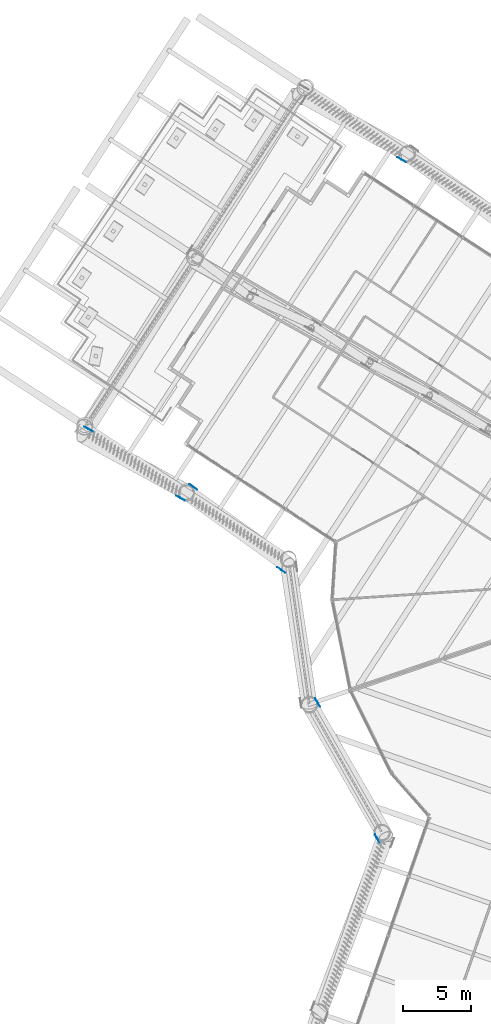
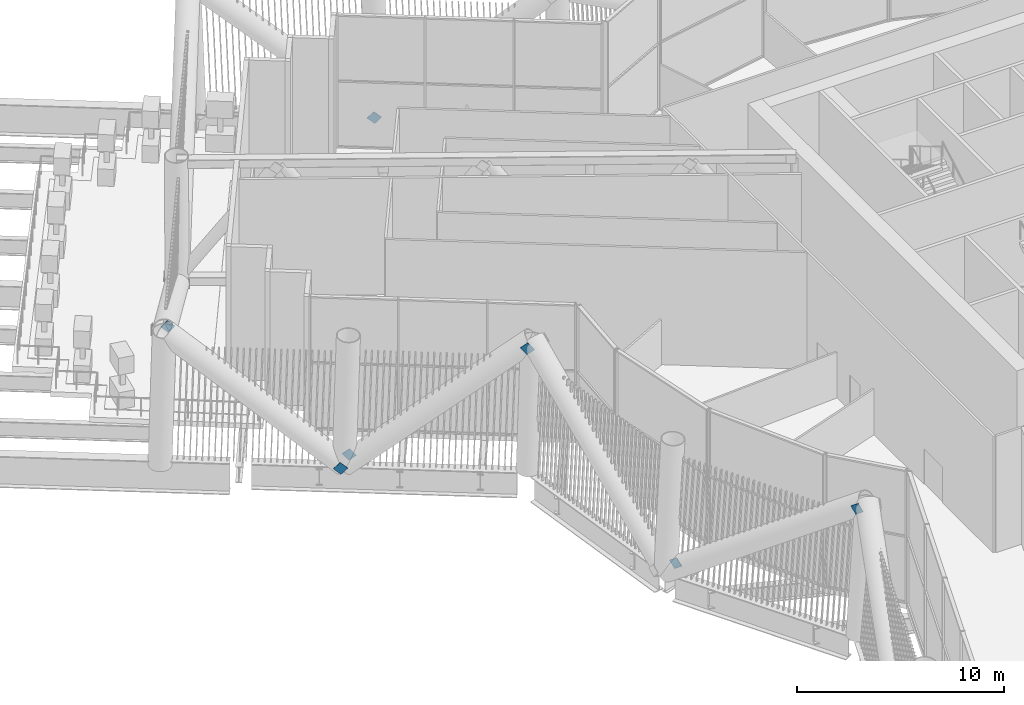
# One storey, part 42 of 63: 7 discrete accessories.
"""IFC4 building model written with IfcOpenShell, lengths in metres."""

from ifc_helpers import new_model, si_unit, direction, frame, origin, origin_2d, place, context, subcontext, project, spatial, rectangle, extrude, material, material_profile, profile_set, type_object, element, save


model = new_model("IFC4")

# Units and contexts
model_context = context("Model", 3, precision=1e-05, world=origin(), true_north=direction((0.0, 1.0)))
body_context = subcontext(model_context, "Body", "Model", "MODEL_VIEW")
ifc_project = project(units=[si_unit("LENGTHUNIT", "METRE"), si_unit("AREAUNIT", "SQUARE_METRE"), si_unit("VOLUMEUNIT", "CUBIC_METRE"), si_unit("PLANEANGLEUNIT", "RADIAN"), si_unit("MASSUNIT", "GRAM", prefix="KILO")], contexts=[model_context])

# Site, building, storey
site_placement = place(None, origin())
site = spatial("IfcSite", under=ifc_project, at=site_placement, CompositionType="ELEMENT")
building_placement = place(site_placement, origin())
building = spatial("IfcBuilding", under=site, at=building_placement, Name="Tarsis Ring Headquarters", CompositionType="ELEMENT")
storey_placement = place(building_placement, frame((0.0, 0.0, 139.60009765625)))
storey = spatial("IfcBuildingStorey", under=building, at=storey_placement, Name="L32", CompositionType="ELEMENT", Elevation=139.60009765625)

# Discrete accessories
ifc_material = material(Name="Structural steel S355", Category="steel")
ifc_material_profile = material_profile(ifc_material, rectangle(XDim=0.02490234375, YDim=0.5, at=origin_2d()), Name="PL 25x500")
ifc_profile_set = profile_set([ifc_material_profile], Name="Structural steel S355")
discrete_accessory_type = type_object("IfcDiscreteAccessoryType", Name="Gusset plate Belt truss 25", PredefinedType="BRACKET", material=ifc_profile_set)
for number, where, z_axis, x_axis, name in (
    (1, (-26.975341796875, -9.08251953125, 0.0), (0.406813845019, -0.705209114295, 0.580674263779), (0.866205558676, 0.499687832671, 0.0), "Gusset plate GP4"),
    (2, (-22.403564453125, -19.397705078125, 8.0), (-0.406813845019, 0.705209114295, -0.580674263779), (-0.866205558676, -0.499687832671, 0.0), "Gusset plate GP4"),
    (3, (-20.57080078125, 30.408935546875, 0.0), (-0.659248770479, 0.364295987243, 0.657783773212), (-0.483659971596, -0.875255980771, 0.0), "Gusset plate GP4"),
    (4, (-36.759521484375, 5.62841796875, 0.0), (-0.645120899219, 0.353571181706, 0.67735252628), (-0.480618575572, -0.876929749076, 0.0), "Gusset plate GP4"),
    (5, (-43.805908203125, 10.852783203125, 8.0), (0.645120899219, -0.353571181706, -0.67735252628), (0.480618575572, 0.876929749076, 0.0), "Gusset plate GP4"),
    (6, (-36.125244140625, 6.63671875, 0.0), (0.611873813544, -0.438517705157, 0.658264884802), (0.582526084288, 0.812812008477, 0.0), "Gusset plate GP4"),
    (7, (-29.38427734375, 0.341064453125, 8.0), (-0.611677149489, 0.438376759969, -0.658541480176), (-0.582526084288, -0.812812008477, 0.0), "Gusset plate GP4"),
):
    element("IfcDiscreteAccessory", number, at=place(storey_placement, frame(where, z_axis=z_axis, x_axis=x_axis)), inside=storey, type_object=discrete_accessory_type, Name=name, PredefinedType="BRACKET", context=body_context, shape_type="SweptSolid", body=[
        extrude(rectangle(XDim=0.02490234375, YDim=0.5, at=origin_2d()), origin(), (0.0, 0.0, 1.0), 0.5),
    ])

save(model, "model.ifc")
